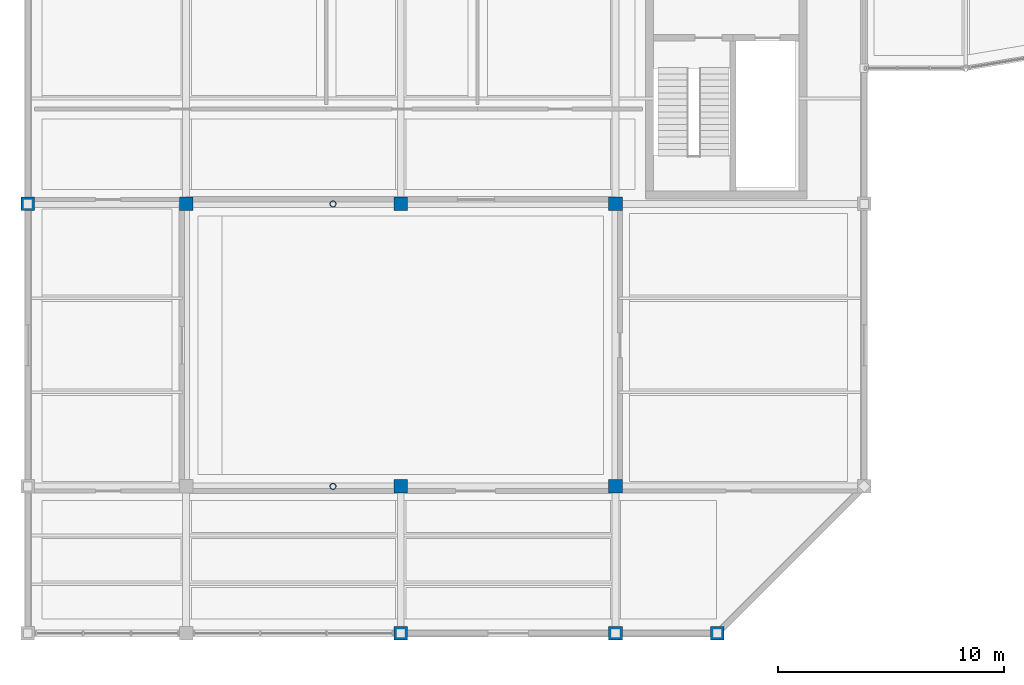
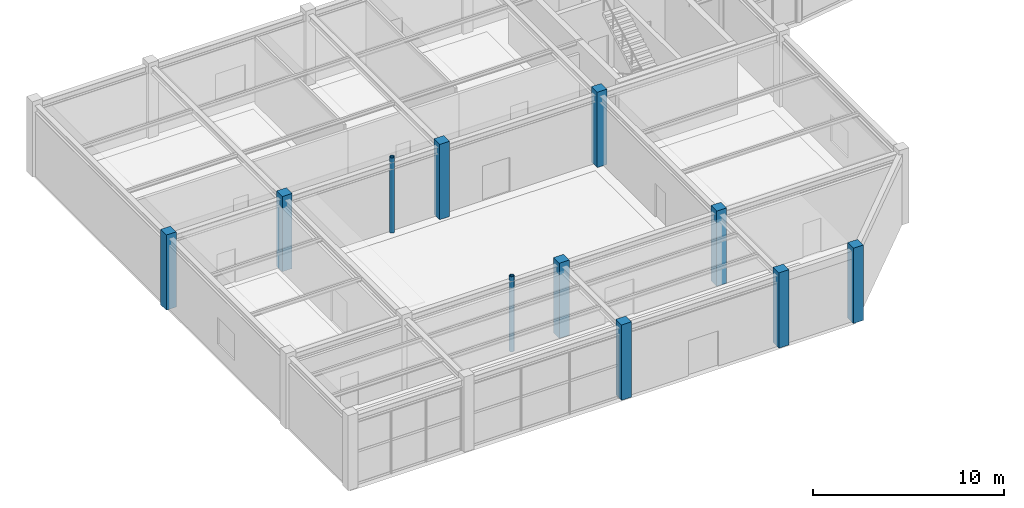
# One storey, part 2 of 108: 11 columns.
"""IFC4 building model written with IfcOpenShell, lengths in metres."""

from ifc_helpers import new_model, si_unit, direction, frame, origin, origin_2d, place, context, subcontext, project, spatial, rectangle, hollow_circle, extrude, material, material_profile, profile_set, type_object, element, save


model = new_model("IFC4")

# Units and contexts
model_context = context("Model", 3, precision=1e-05, world=origin(), true_north=direction((0.0, 1.0)))
body_context = subcontext(model_context, "Body", "Model", "MODEL_VIEW")
ifc_project = project(units=[si_unit("LENGTHUNIT", "METRE"), si_unit("AREAUNIT", "SQUARE_METRE"), si_unit("VOLUMEUNIT", "CUBIC_METRE"), si_unit("PLANEANGLEUNIT", "RADIAN"), si_unit("MASSUNIT", "GRAM", prefix="KILO")], contexts=[model_context])

# Site, building, storey
site_placement = place(None, origin())
site = spatial("IfcSite", under=ifc_project, at=site_placement, CompositionType="ELEMENT")
building_placement = place(site_placement, origin())
building = spatial("IfcBuilding", under=site, at=building_placement, Name="Tarnveldt Headland Concert Hall", CompositionType="ELEMENT")
storey_placement = place(building_placement, origin())
storey = spatial("IfcBuildingStorey", under=building, at=storey_placement, Name="L00", CompositionType="ELEMENT", Elevation=0.0)

# Columns
ifc_material_1 = material(Name="Concrete C40/50", Category="concrete")
ifc_material_profile_1 = material_profile(ifc_material_1, rectangle(XDim=0.60009765625, YDim=0.60009765625, at=origin_2d()), Name="RC 600x600", Category="concrete")
ifc_profile_set_1 = profile_set([ifc_material_profile_1], Name="Concrete C40/50")
column_type_1 = type_object("IfcColumnType", Name="CC-600", PredefinedType="COLUMN", material=ifc_profile_set_1)
for number, where, z_axis, x_axis, name in (
    (1, (24.0, 5.0, 0.0), (0.0, 0.0, 1.0), (1.0, 0.0, 0.0), "Column V4C03 L00"),
    (2, (33.5, 5.0, 0.0), (0.0, 0.0, 1.0), (1.0, 0.0, 0.0), "Column V4C04 L00"),
    (3, (38.0, 5.0, 0.0), (0.0, 0.0, 1.0), (1.0, 0.0, 0.0), "Column V4C05 L00"),
    (4, (7.5, 24.0, 0.0), (0.0, 0.0, 1.0), (1.0, 0.0, 0.0), "Column V4C13 L00"),
    (5, (24.0, 11.5, 0.0), (0.0, 0.0, 1.0), (1.0, 0.0, 0.0), "Column V4C16 L00"),
    (6, (33.5, 11.5, 0.0), (0.0, 0.0, 1.0), (1.0, 0.0, 0.0), "Column V4C17 L00"),
    (7, (14.5, 24.0, 0.0), (0.0, 0.0, 1.0), (1.0, 0.0, 0.0), "Column V4C18 L00"),
    (8, (24.0, 24.0, 0.0), (0.0, 0.0, 1.0), (1.0, 0.0, 0.0), "Column V4C19 L00"),
    (9, (33.5, 24.0, 0.0), (0.0, 0.0, 1.0), (1.0, 0.0, 0.0), "Column V4C20 L00"),
):
    element("IfcColumn", number, at=place(storey_placement, frame(where, z_axis=z_axis, x_axis=x_axis)), inside=storey, type_object=column_type_1, Name=name, PredefinedType="COLUMN", context=body_context, shape_type="SweptSolid", body=[
        extrude(rectangle(XDim=0.60009765625, YDim=0.60009765625, at=origin_2d()), origin(), (0.0, 0.0, 1.0), 4.800048828125),
    ])
ifc_material_2 = material(Name="Steel S355", Category="steel")
ifc_material_profile_2 = material_profile(ifc_material_2, hollow_circle(Radius=0.136474609375, WallThickness=0.01611328125, at=origin_2d()), Name="CHS 273x16", Category="steel")
ifc_profile_set_2 = profile_set([ifc_material_profile_2], Name="Steel S355")
column_type_2 = type_object("IfcColumnType", Name="SC-CHS273", PredefinedType="COLUMN", material=ifc_profile_set_2)
for number, where, z_axis, x_axis, name in (
    (10, (21.0, 11.5, 0.0), (0.0, 0.0, 1.0), (1.0, 0.0, 0.0), "Chamber balcony post 1 L00"),
    (11, (21.0, 24.0, 0.0), (0.0, 0.0, 1.0), (1.0, 0.0, 0.0), "Chamber balcony post 2 L00"),
):
    element("IfcColumn", number, at=place(storey_placement, frame(where, z_axis=z_axis, x_axis=x_axis)), inside=storey, type_object=column_type_2, Name=name, PredefinedType="COLUMN", context=body_context, shape_type="SweptSolid", body=[
        extrude(hollow_circle(Radius=0.136474609375, WallThickness=0.01611328125, at=origin_2d()), origin(), (0.0, 0.0, 1.0), 4.800048828125),
    ])

save(model, "model.ifc")
